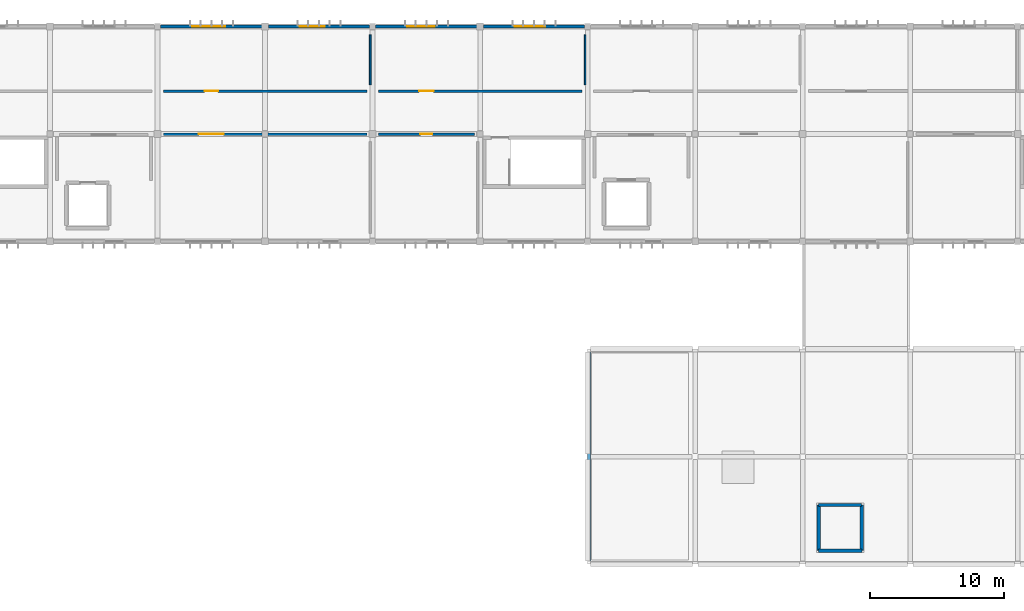
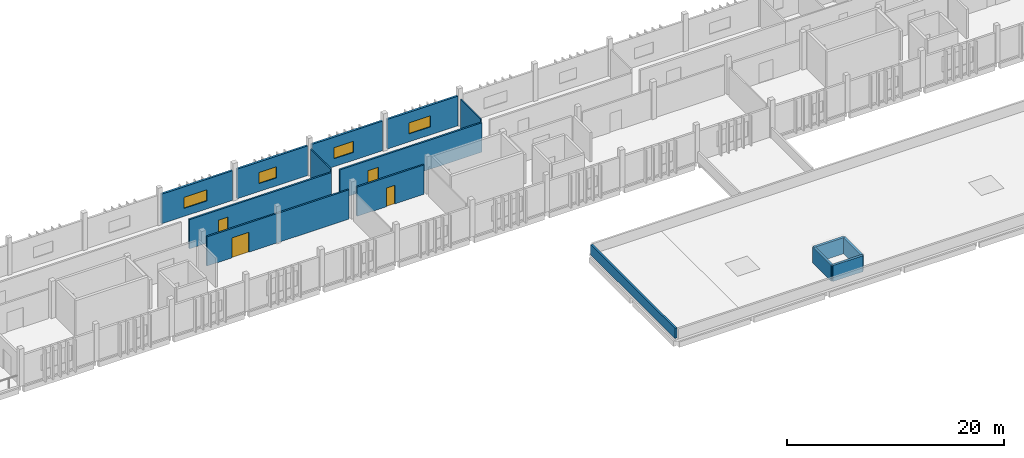
# One storey, part 11 of 16: 15 walls, 4 doors, 4 windows, 8 openings.
"""IFC4 building model written with IfcOpenShell, lengths in metres."""

from ifc_helpers import new_model, si_unit, direction, frame, frame_2d, origin, place, context, subcontext, project, spatial, rectangle, extrude, material, layer, layer_set, type_object, element, fill, save


model = new_model("IFC4")

# Units and contexts
model_context = context("Model", 3, precision=1e-05, world=origin(), true_north=direction((0.0, 1.0)))
body_context = subcontext(model_context, "Body", "Model", "MODEL_VIEW")
ifc_project = project(units=[si_unit("LENGTHUNIT", "METRE"), si_unit("AREAUNIT", "SQUARE_METRE"), si_unit("VOLUMEUNIT", "CUBIC_METRE"), si_unit("PLANEANGLEUNIT", "RADIAN"), si_unit("MASSUNIT", "GRAM", prefix="KILO")], contexts=[model_context])

# Site, building, storey
site_placement = place(None, origin())
site = spatial("IfcSite", under=ifc_project, at=site_placement, CompositionType="ELEMENT")
building_placement = place(site_placement, origin())
building = spatial("IfcBuilding", under=site, at=building_placement, Name="Jelvoka-Kovrelna Polytechnic", CompositionType="ELEMENT")
storey_placement = place(building_placement, frame((0.0, 0.0, 30.60009765625)))
storey = spatial("IfcBuildingStorey", under=building, at=storey_placement, Name="L08", CompositionType="ELEMENT", Elevation=30.60009765625)

# Walls
ifc_material_1 = material(Name="Concrete C40/50", Category="concrete")
ifc_layer_1 = layer(ifc_material_1, 0.25)
ifc_layer_set_1 = layer_set([ifc_layer_1], Name="Concrete C40/50")
wall_type_1 = type_object("IfcWallType", Name="Wall_Core_250", PredefinedType="SOLIDWALL", material=ifc_layer_set_1)
wall_1_placement = place(storey_placement, frame((145.199951171875, 33.0, 0.0), z_axis=(0.0, 0.0, 1.0), x_axis=(1.0, 0.0, 0.0)))
element("IfcWall", 1, at=wall_1_placement, inside=storey, type_object=wall_type_1, Name="L08 interior wall 0512", PredefinedType="SOLIDWALL", context=body_context, shape_type="SweptSolid", body=[
    extrude(rectangle(XDim=3.199951171875, YDim=0.25, at=frame_2d((1.60009765625, 0.0))), origin(), (0.0, 0.0, 1.0), 1.7998046875),
])
wall_2_placement = place(storey_placement, frame((148.39990234375, 33.0, 0.0), z_axis=(0.0, 0.0, 1.0), x_axis=(0.0, 1.0, 0.0)))
element("IfcWall", 2, at=wall_2_placement, inside=storey, type_object=wall_type_1, Name="L08 interior wall 0513", PredefinedType="SOLIDWALL", context=body_context, shape_type="SweptSolid", body=[
    extrude(rectangle(XDim=3.39990234375, YDim=0.25, at=frame_2d((1.699951171875, 0.0))), origin(), (0.0, 0.0, 1.0), 1.7998046875),
])
wall_3_placement = place(storey_placement, frame((148.39990234375, 36.39990234375, 0.0), z_axis=(0.0, 0.0, 1.0), x_axis=(-1.0, 0.0, 0.0)))
element("IfcWall", 3, at=wall_3_placement, inside=storey, type_object=wall_type_1, Name="L08 interior wall 0514", PredefinedType="SOLIDWALL", context=body_context, shape_type="SweptSolid", body=[
    extrude(rectangle(XDim=3.199951171875, YDim=0.25, at=frame_2d((1.60009765625, 0.0))), origin(), (0.0, 0.0, 1.0), 1.7998046875),
])
wall_4_placement = place(storey_placement, frame((145.199951171875, 36.39990234375, 0.0), z_axis=(0.0, 0.0, 1.0), x_axis=(0.0, -1.0, 0.0)))
element("IfcWall", 4, at=wall_4_placement, inside=storey, type_object=wall_type_1, Name="L08 interior wall 0515", PredefinedType="SOLIDWALL", context=body_context, shape_type="SweptSolid", body=[
    extrude(rectangle(XDim=3.39990234375, YDim=0.25, at=frame_2d((1.699951171875, 0.0))), origin(), (0.0, 0.0, 1.0), 1.7998046875),
])

# Wall, opening, door
ifc_material_2 = material(Name="Autoclaved aerated concrete blockwork", Category="masonry")
ifc_layer_2 = layer(ifc_material_2, 0.179931640625)
ifc_layer_set_2 = layer_set([ifc_layer_2], Name="Autoclaved aerated concrete blockwork")
wall_type_2 = type_object("IfcWallType", Name="Wall_Corridor_180", PredefinedType="PARTITIONING", material=ifc_layer_set_2)
wall_5_placement = place(storey_placement, frame((96.429931640625, 64.0, 0.0), z_axis=(0.0, 0.0, 1.0), x_axis=(1.0, 0.0, 0.0)))
wall_5 = element("IfcWall", 5, at=wall_5_placement, inside=storey, type_object=wall_type_2, Name="L08 interior wall 1309", PredefinedType="PARTITIONING", context=body_context, shape_type="SweptSolid", body=[
    extrude(rectangle(XDim=15.14013671875, YDim=0.179931640625, at=frame_2d((7.570068359375, 0.0))), origin(), (0.0, 0.0, 1.0), 3.2998046875),
])
opening_1_placement = place(wall_5_placement, frame((2.64990234375, 0.0, 0.0)))
opening_1 = element("IfcOpeningElement", 6, at=opening_1_placement, cuts=wall_5, Name="Opening D-L08-467", PredefinedType="OPENING", context=body_context, shape_type="SweptSolid", body=[
    extrude(rectangle(XDim=1.840087890625, YDim=2.25, at=frame_2d((0.919921875, 1.125))), frame((0.0, 0.099853515625, 0.0), z_axis=(0.0, -1.0, 0.0), x_axis=(1.0, 0.0, 0.0)), (0.0, 0.0, 1.0), 0.199951171875),
])
ifc_material_3 = material(Name="Paired exhibition gallery double door", Category="wood")
door_type_1 = type_object("IfcDoorType", Name="Door_Int_D22", OperationType="NOTDEFINED", PredefinedType="DOOR", material=ifc_material_3)
door_1_placement = place(opening_1_placement, origin())
door_1 = element("IfcDoor", 7, at=door_1_placement, inside=storey, type_object=door_type_1, Name="L08 interior door D-L08-467", OperationType="DOUBLE_DOOR_SINGLE_SWING", OverallHeight=2.25, OverallWidth=1.840087890625, PredefinedType="DOOR", context=body_context, shape_type="SweptSolid", body=[
    extrude(rectangle(XDim=1.840087890625, YDim=2.25, at=frame_2d((0.919921875, 1.125))), frame((0.0, 0.02490234375, 0.0), z_axis=(0.0, -1.0, 0.0), x_axis=(1.0, 0.0, 0.0)), (0.0, 0.0, 1.0), 0.050048828125),
])
fill(opening_1, door_1)

wall_6_placement = place(storey_placement, frame((112.429931640625, 64.0, 0.0), z_axis=(0.0, 0.0, 1.0), x_axis=(1.0, 0.0, 0.0)))
wall_6 = element("IfcWall", 8, at=wall_6_placement, inside=storey, type_object=wall_type_2, Name="L08 interior wall 1311", PredefinedType="PARTITIONING", context=body_context, shape_type="SweptSolid", body=[
    extrude(rectangle(XDim=7.14013671875, YDim=0.179931640625, at=frame_2d((3.570068359375, 0.0))), origin(), (0.0, 0.0, 1.0), 3.2998046875),
])
opening_2_placement = place(wall_6_placement, frame((3.1201171875, 0.0, 0.0)))
opening_2 = element("IfcOpeningElement", 9, at=opening_2_placement, cuts=wall_6, Name="Opening D-L08-468", PredefinedType="OPENING", context=body_context, shape_type="SweptSolid", body=[
    extrude(rectangle(XDim=0.89990234375, YDim=2.10009765625, at=frame_2d((0.449951171875, 1.050048828125))), frame((0.0, 0.099853515625, 0.0), z_axis=(0.0, -1.0, 0.0), x_axis=(1.0, 0.0, 0.0)), (0.0, 0.0, 1.0), 0.199951171875),
])
ifc_material_4 = material(Name="Hardwood solid-core door", Category="wood")
door_type_2 = type_object("IfcDoorType", Name="Door_Int_D01", OperationType="NOTDEFINED", PredefinedType="DOOR", material=ifc_material_4)
door_2_placement = place(opening_2_placement, origin())
door_2 = element("IfcDoor", 10, at=door_2_placement, inside=storey, type_object=door_type_2, Name="L08 interior door D-L08-468", OperationType="SINGLE_SWING_LEFT", OverallHeight=2.10009765625, OverallWidth=0.89990234375, PredefinedType="DOOR", context=body_context, shape_type="SweptSolid", body=[
    extrude(rectangle(XDim=0.89990234375, YDim=2.10009765625, at=frame_2d((0.449951171875, 1.050048828125))), frame((0.0, 0.02490234375, 0.0), z_axis=(0.0, -1.0, 0.0), x_axis=(1.0, 0.0, 0.0)), (0.0, 0.0, 1.0), 0.050048828125),
])
fill(opening_2, door_2)

wall_7_placement = place(storey_placement, frame((96.429931640625, 67.199951171875, 0.0), z_axis=(0.0, 0.0, 1.0), x_axis=(1.0, 0.0, 0.0)))
wall_7 = element("IfcWall", 11, at=wall_7_placement, inside=storey, type_object=wall_type_2, Name="L08 interior wall 1318", PredefinedType="PARTITIONING", context=body_context, shape_type="SweptSolid", body=[
    extrude(rectangle(XDim=15.14013671875, YDim=0.179931640625, at=frame_2d((7.570068359375, 0.0))), origin(), (0.0, 0.0, 1.0), 3.2998046875),
])
opening_3_placement = place(wall_7_placement, frame((3.070068359375, 0.0, 0.0)))
opening_3 = element("IfcOpeningElement", 12, at=opening_3_placement, cuts=wall_7, Name="Opening D-L08-473", PredefinedType="OPENING", context=body_context, shape_type="SweptSolid", body=[
    extrude(rectangle(XDim=1.0, YDim=2.14990234375, at=frame_2d((0.5, 1.074951171875))), frame((0.0, 0.099853515625, 0.0), z_axis=(0.0, -1.0, 0.0), x_axis=(1.0, 0.0, 0.0)), (0.0, 0.0, 1.0), 0.199951171875),
])
ifc_material_5 = material(Name="Hardwood acoustic seminar door", Category="wood")
door_type_3 = type_object("IfcDoorType", Name="Door_Int_D08", OperationType="NOTDEFINED", PredefinedType="DOOR", material=ifc_material_5)
door_3_placement = place(opening_3_placement, origin())
door_3 = element("IfcDoor", 13, at=door_3_placement, inside=storey, type_object=door_type_3, Name="L08 interior door D-L08-473", OperationType="SINGLE_SWING_RIGHT", OverallHeight=2.14990234375, OverallWidth=1.0, PredefinedType="DOOR", context=body_context, shape_type="SweptSolid", body=[
    extrude(rectangle(XDim=1.0, YDim=2.14990234375, at=frame_2d((0.5, 1.074951171875))), frame((0.0, 0.02490234375, 0.0), z_axis=(0.0, -1.0, 0.0), x_axis=(1.0, 0.0, 0.0)), (0.0, 0.0, 1.0), 0.050048828125),
])
fill(opening_3, door_3)

wall_8_placement = place(storey_placement, frame((112.429931640625, 67.199951171875, 0.0), z_axis=(0.0, 0.0, 1.0), x_axis=(1.0, 0.0, 0.0)))
wall_8 = element("IfcWall", 14, at=wall_8_placement, inside=storey, type_object=wall_type_2, Name="L08 interior wall 1320", PredefinedType="PARTITIONING", context=body_context, shape_type="SweptSolid", body=[
    extrude(rectangle(XDim=15.14013671875, YDim=0.179931640625, at=frame_2d((7.570068359375, 0.0))), origin(), (0.0, 0.0, 1.0), 3.2998046875),
])
opening_4_placement = place(wall_8_placement, frame((3.030029296875, 0.0, 0.0)))
opening_4 = element("IfcOpeningElement", 15, at=opening_4_placement, cuts=wall_8, Name="Opening D-L08-474", PredefinedType="OPENING", context=body_context, shape_type="SweptSolid", body=[
    extrude(rectangle(XDim=1.080078125, YDim=2.14990234375, at=frame_2d((0.5400390625, 1.074951171875))), frame((0.0, 0.099853515625, 0.0), z_axis=(0.0, -1.0, 0.0), x_axis=(1.0, 0.0, 0.0)), (0.0, 0.0, 1.0), 0.199951171875),
])
ifc_material_6 = material(Name="Hardwood acoustic seminar door", Category="wood")
door_type_4 = type_object("IfcDoorType", Name="Door_Int_D10", OperationType="NOTDEFINED", PredefinedType="DOOR", material=ifc_material_6)
door_4_placement = place(opening_4_placement, origin())
door_4 = element("IfcDoor", 16, at=door_4_placement, inside=storey, type_object=door_type_4, Name="L08 interior door D-L08-474", OperationType="SINGLE_SWING_LEFT", OverallHeight=2.14990234375, OverallWidth=1.080078125, PredefinedType="DOOR", context=body_context, shape_type="SweptSolid", body=[
    extrude(rectangle(XDim=1.080078125, YDim=2.14990234375, at=frame_2d((0.5400390625, 1.074951171875))), frame((0.0, 0.02490234375, 0.0), z_axis=(0.0, -1.0, 0.0), x_axis=(1.0, 0.0, 0.0)), (0.0, 0.0, 1.0), 0.050048828125),
])
fill(opening_4, door_4)

# Wall, opening, window
ifc_material_7 = material(Name="Precast concrete C40/50", Category="concrete")
ifc_layer_3 = layer(ifc_material_7, 0.219970703125)
ifc_layer_set_3 = layer_set([ifc_layer_3], Name="Precast concrete C40/50")
wall_type_3 = type_object("IfcWallType", Name="Wall_Ext_White_220", PredefinedType="STANDARD", material=ifc_layer_set_3)
wall_9_placement = place(storey_placement, frame((96.221923828125, 72.0, 0.0), z_axis=(0.0, 0.0, 1.0), x_axis=(1.0, 0.0, 0.0)))
wall_9 = element("IfcWall", 17, at=wall_9_placement, inside=storey, type_object=wall_type_3, Name="L08 exterior wall 0825", PredefinedType="STANDARD", context=body_context, shape_type="SweptSolid", body=[
    extrude(rectangle(XDim=7.531005859375, YDim=0.219970703125, at=frame_2d((3.765625, 0.0))), origin(), (0.0, 0.0, 1.0), 3.3349609375),
])
opening_5_placement = place(wall_9_placement, frame((2.35791015625, 0.0, 0.89990234375)))
opening_5 = element("IfcOpeningElement", 18, at=opening_5_placement, cuts=wall_9, Name="Opening W-L08-471", PredefinedType="OPENING", context=body_context, shape_type="SweptSolid", body=[
    extrude(rectangle(XDim=2.449951171875, YDim=1.25, at=frame_2d((1.22509765625, 0.625))), frame((0.0, 0.119873046875, 0.0), z_axis=(0.0, -1.0, 0.0), x_axis=(1.0, 0.0, 0.0)), (0.0, 0.0, 1.0), 0.239990234375),
])
ifc_material_8 = material(Name="Thermally broken anodised aluminium and low-e glazing", Category="aluminium")
window_type_1 = type_object("IfcWindowType", Name="Win_Casement_W08", PartitioningType="DOUBLE_PANEL_VERTICAL", PredefinedType="WINDOW", material=ifc_material_8)
window_1_placement = place(opening_5_placement, origin())
window_1 = element("IfcWindow", 19, at=window_1_placement, inside=storey, type_object=window_type_1, Name="L08 aluminium casement window W-L08-471", OverallHeight=1.25, OverallWidth=2.449951171875, PartitioningType="DOUBLE_PANEL_VERTICAL", PredefinedType="WINDOW", context=body_context, shape_type="SweptSolid", body=[
    extrude(rectangle(XDim=2.449951171875, YDim=1.25, at=frame_2d((1.22509765625, 0.625))), frame((0.0, 0.030029296875, 0.0), z_axis=(0.0, -1.0, 0.0), x_axis=(1.0, 0.0, 0.0)), (0.0, 0.0, 1.0), 0.06005859375),
])
fill(opening_5, window_1)

wall_10_placement = place(storey_placement, frame((104.2470703125, 72.0, 0.0), z_axis=(0.0, 0.0, 1.0), x_axis=(1.0, 0.0, 0.0)))
wall_10 = element("IfcWall", 20, at=wall_10_placement, inside=storey, type_object=wall_type_3, Name="L08 exterior wall 0827", PredefinedType="STANDARD", context=body_context, shape_type="SweptSolid", body=[
    extrude(rectangle(XDim=7.531005859375, YDim=0.219970703125, at=frame_2d((3.765625, 0.0))), origin(), (0.0, 0.0, 1.0), 3.3349609375),
])
opening_6_placement = place(wall_10_placement, frame((2.3330078125, 0.0, 0.89990234375)))
opening_6 = element("IfcOpeningElement", 21, at=opening_6_placement, cuts=wall_10, Name="Opening W-L08-473", PredefinedType="OPENING", context=body_context, shape_type="SweptSolid", body=[
    extrude(rectangle(XDim=1.85009765625, YDim=1.25, at=frame_2d((0.925048828125, 0.625))), frame((0.0, 0.119873046875, 0.0), z_axis=(0.0, -1.0, 0.0), x_axis=(1.0, 0.0, 0.0)), (0.0, 0.0, 1.0), 0.239990234375),
])
ifc_material_9 = material(Name="Thermally broken anodised aluminium and low-e glazing", Category="aluminium")
window_type_2 = type_object("IfcWindowType", Name="Win_Casement_W05", PartitioningType="DOUBLE_PANEL_VERTICAL", PredefinedType="WINDOW", material=ifc_material_9)
window_2_placement = place(opening_6_placement, origin())
window_2 = element("IfcWindow", 22, at=window_2_placement, inside=storey, type_object=window_type_2, Name="L08 aluminium casement window W-L08-473", OverallHeight=1.25, OverallWidth=1.85009765625, PartitioningType="DOUBLE_PANEL_VERTICAL", PredefinedType="WINDOW", context=body_context, shape_type="SweptSolid", body=[
    extrude(rectangle(XDim=1.85009765625, YDim=1.25, at=frame_2d((0.925048828125, 0.625))), frame((0.0, 0.030029296875, 0.0), z_axis=(0.0, -1.0, 0.0), x_axis=(1.0, 0.0, 0.0)), (0.0, 0.0, 1.0), 0.06005859375),
])
fill(opening_6, window_2)

wall_11_placement = place(storey_placement, frame((112.221923828125, 72.0, 0.0), z_axis=(0.0, 0.0, 1.0), x_axis=(1.0, 0.0, 0.0)))
wall_11 = element("IfcWall", 23, at=wall_11_placement, inside=storey, type_object=wall_type_3, Name="L08 exterior wall 0829", PredefinedType="STANDARD", context=body_context, shape_type="SweptSolid", body=[
    extrude(rectangle(XDim=7.531005859375, YDim=0.219970703125, at=frame_2d((3.765625, 0.0))), origin(), (0.0, 0.0, 1.0), 3.3349609375),
])
opening_7_placement = place(wall_11_placement, frame((2.35791015625, 0.0, 0.89990234375)))
opening_7 = element("IfcOpeningElement", 24, at=opening_7_placement, cuts=wall_11, Name="Opening W-L08-475", PredefinedType="OPENING", context=body_context, shape_type="SweptSolid", body=[
    extrude(rectangle(XDim=2.050048828125, YDim=1.25, at=frame_2d((1.02490234375, 0.625))), frame((0.0, 0.119873046875, 0.0), z_axis=(0.0, -1.0, 0.0), x_axis=(1.0, 0.0, 0.0)), (0.0, 0.0, 1.0), 0.239990234375),
])
ifc_material_10 = material(Name="Thermally broken anodised aluminium and low-e glazing", Category="aluminium")
window_type_3 = type_object("IfcWindowType", Name="Win_Casement_W06", PartitioningType="DOUBLE_PANEL_VERTICAL", PredefinedType="WINDOW", material=ifc_material_10)
window_3_placement = place(opening_7_placement, origin())
window_3 = element("IfcWindow", 25, at=window_3_placement, inside=storey, type_object=window_type_3, Name="L08 aluminium casement window W-L08-475", OverallHeight=1.25, OverallWidth=2.050048828125, PartitioningType="DOUBLE_PANEL_VERTICAL", PredefinedType="WINDOW", context=body_context, shape_type="SweptSolid", body=[
    extrude(rectangle(XDim=2.050048828125, YDim=1.25, at=frame_2d((1.02490234375, 0.625))), frame((0.0, 0.030029296875, 0.0), z_axis=(0.0, -1.0, 0.0), x_axis=(1.0, 0.0, 0.0)), (0.0, 0.0, 1.0), 0.06005859375),
])
fill(opening_7, window_3)

wall_12_placement = place(storey_placement, frame((120.2470703125, 72.0, 0.0), z_axis=(0.0, 0.0, 1.0), x_axis=(1.0, 0.0, 0.0)))
wall_12 = element("IfcWall", 26, at=wall_12_placement, inside=storey, type_object=wall_type_3, Name="L08 exterior wall 0831", PredefinedType="STANDARD", context=body_context, shape_type="SweptSolid", body=[
    extrude(rectangle(XDim=7.531005859375, YDim=0.219970703125, at=frame_2d((3.765625, 0.0))), origin(), (0.0, 0.0, 1.0), 3.3349609375),
])
opening_8_placement = place(wall_12_placement, frame((2.3330078125, 0.0, 0.89990234375)))
opening_8 = element("IfcOpeningElement", 27, at=opening_8_placement, cuts=wall_12, Name="Opening W-L08-477", PredefinedType="OPENING", context=body_context, shape_type="SweptSolid", body=[
    extrude(rectangle(XDim=2.25, YDim=1.25, at=frame_2d((1.125, 0.625))), frame((0.0, 0.119873046875, 0.0), z_axis=(0.0, -1.0, 0.0), x_axis=(1.0, 0.0, 0.0)), (0.0, 0.0, 1.0), 0.239990234375),
])
ifc_material_11 = material(Name="Thermally broken anodised aluminium and low-e glazing", Category="aluminium")
window_type_4 = type_object("IfcWindowType", Name="Win_Casement_W07", PartitioningType="DOUBLE_PANEL_VERTICAL", PredefinedType="WINDOW", material=ifc_material_11)
window_4_placement = place(opening_8_placement, origin())
window_4 = element("IfcWindow", 28, at=window_4_placement, inside=storey, type_object=window_type_4, Name="L08 aluminium casement window W-L08-477", OverallHeight=1.25, OverallWidth=2.25, PartitioningType="DOUBLE_PANEL_VERTICAL", PredefinedType="WINDOW", context=body_context, shape_type="SweptSolid", body=[
    extrude(rectangle(XDim=2.25, YDim=1.25, at=frame_2d((1.125, 0.625))), frame((0.0, 0.030029296875, 0.0), z_axis=(0.0, -1.0, 0.0), x_axis=(1.0, 0.0, 0.0)), (0.0, 0.0, 1.0), 0.06005859375),
])
fill(opening_8, window_4)

# Walls
ifc_material_12 = material(Name="Acoustic operable timber-aluminium panel", Category="wood")
ifc_layer_4 = layer(ifc_material_12, 0.110107421875)
ifc_layer_set_4 = layer_set([ifc_layer_4], Name="Acoustic operable timber-aluminium panel")
wall_type_4 = type_object("IfcWallType", Name="Wall_Movable_110", PredefinedType="MOVABLE", material=ifc_layer_set_4)
wall_13_placement = place(storey_placement, frame((127.820068359375, 67.669921875, 0.0), z_axis=(0.0, 0.0, 1.0), x_axis=(0.0, 1.0, 0.0)))
element("IfcWall", 29, at=wall_13_placement, inside=storey, type_object=wall_type_4, Name="L08 interior wall 1321", PredefinedType="MOVABLE", context=body_context, shape_type="SweptSolid", body=[
    extrude(rectangle(XDim=3.7099609375, YDim=0.110107421875, at=frame_2d((1.85498046875, 0.0))), origin(), (0.0, 0.0, 1.0), 3.2998046875),
])
ifc_material_13 = material(Name="Precast concrete C40/50", Category="concrete")
ifc_layer_5 = layer(ifc_material_13, 0.199951171875)
ifc_layer_set_5 = layer_set([ifc_layer_5], Name="Precast concrete C40/50")
wall_type_5 = type_object("IfcWallType", Name="Wall_Parapet_200", PredefinedType="PARAPET", material=ifc_layer_set_5)
wall_14_placement = place(storey_placement, frame((128.10009765625, 47.780029296875, 0.0), z_axis=(0.0, 0.0, 1.0), x_axis=(0.0, -1.0, 0.0)))
element("IfcWall", 30, at=wall_14_placement, inside=storey, type_object=wall_type_5, Name="L08 exterior wall 1216", PredefinedType="PARAPET", context=body_context, shape_type="SweptSolid", body=[
    extrude(rectangle(XDim=15.56005859375, YDim=0.199951171875, at=frame_2d((7.780029296875, 0.0))), origin(), (0.0, 0.0, 1.0), 1.14990234375),
])
ifc_material_14 = material(Name="Acoustic gypsum stud partition")
ifc_layer_6 = layer(ifc_material_14, 0.125)
ifc_layer_set_6 = layer_set([ifc_layer_6], Name="Acoustic gypsum stud partition")
wall_type_6 = type_object("IfcWallType", Name="Wall_Partition_125", PredefinedType="PARTITIONING", material=ifc_layer_set_6)
wall_15_placement = place(storey_placement, frame((111.820068359375, 67.669921875, 0.0), z_axis=(0.0, 0.0, 1.0), x_axis=(0.0, 1.0, 0.0)))
element("IfcWall", 31, at=wall_15_placement, inside=storey, type_object=wall_type_6, Name="L08 interior wall 1319", PredefinedType="PARTITIONING", context=body_context, shape_type="SweptSolid", body=[
    extrude(rectangle(XDim=3.7099609375, YDim=0.125, at=frame_2d((1.85498046875, 0.0))), origin(), (0.0, 0.0, 1.0), 3.2998046875),
])

save(model, "model.ifc")
